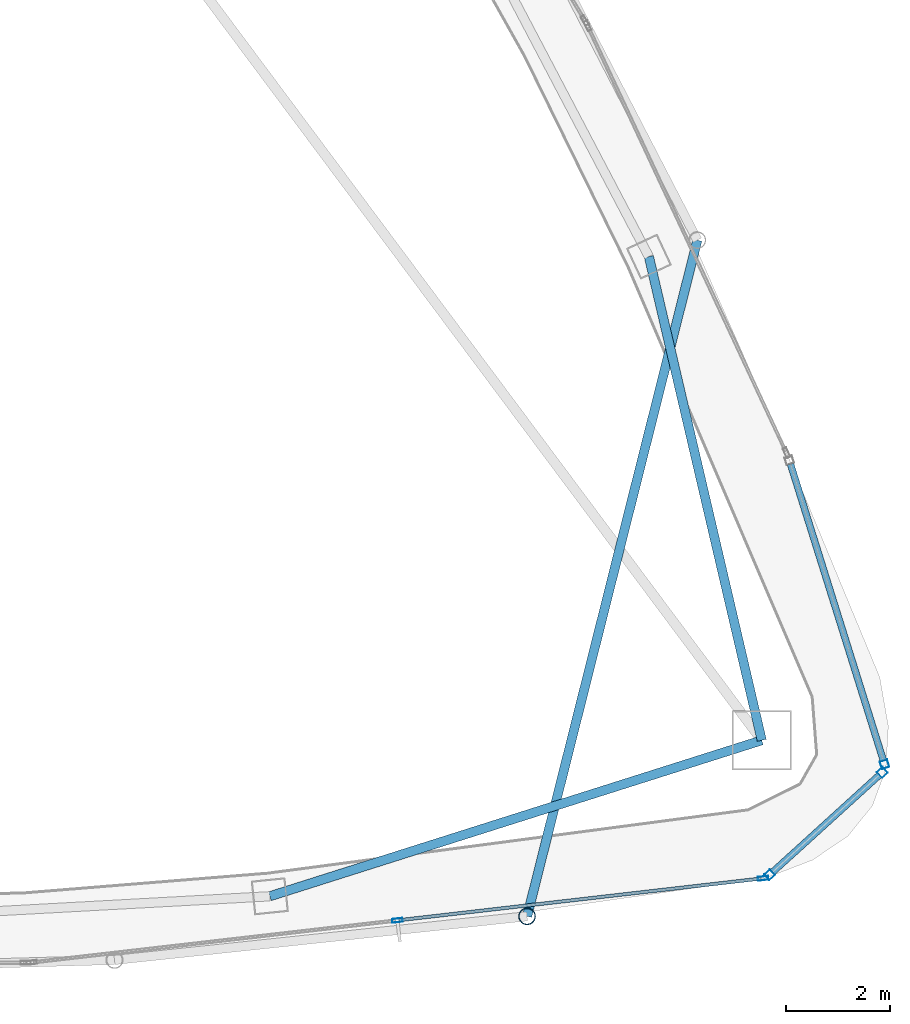
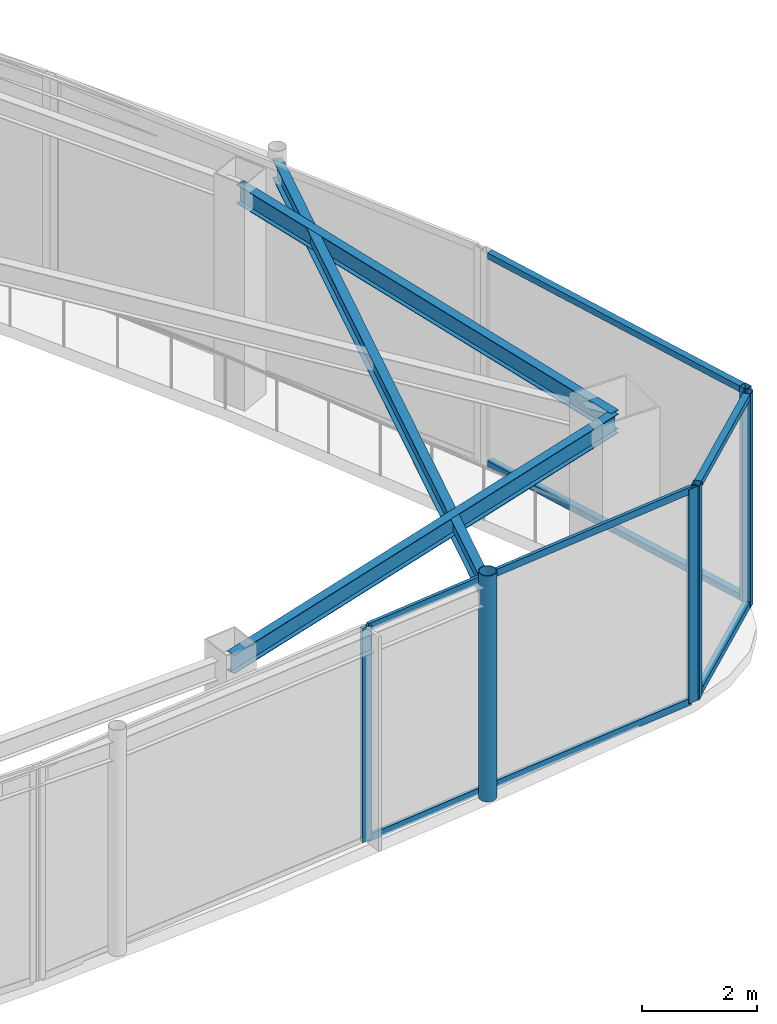
# One storey, part 11 of 19: 12 members, 3 beams, 3 elements without a shape of their own.
"""IFC4 building model written with IfcOpenShell, lengths in metres."""

from ifc_helpers import new_model, si_unit, direction, frame, origin, origin_2d, place, context, subcontext, project, spatial, hollow_rectangle, hollow_circle, i_section, extrude, material, layer, layer_set, material_profile, profile_set, type_object, element, aggregate, save


model = new_model("IFC4")

# Units and contexts
model_context = context("Model", 3, precision=1e-05, world=origin(), true_north=direction((0.0, 1.0)))
body_context = subcontext(model_context, "Body", "Model", "MODEL_VIEW")
ifc_project = project(units=[si_unit("LENGTHUNIT", "METRE"), si_unit("AREAUNIT", "SQUARE_METRE"), si_unit("VOLUMEUNIT", "CUBIC_METRE"), si_unit("PLANEANGLEUNIT", "RADIAN"), si_unit("MASSUNIT", "GRAM", prefix="KILO")], contexts=[model_context])

# Site, building, storey
site_placement = place(None, origin())
site = spatial("IfcSite", under=ifc_project, at=site_placement, CompositionType="ELEMENT")
building_placement = place(site_placement, origin())
building = spatial("IfcBuilding", under=site, at=building_placement, Name="Orvanel Arch Residences", CompositionType="ELEMENT")
storey_placement = place(building_placement, frame((0.0, 0.0, 295.699951171875)))
storey = spatial("IfcBuildingStorey", under=building, at=storey_placement, Name="L83", CompositionType="ELEMENT", Elevation=295.699951171875)

# Curtain wall, members
ifc_material_1 = material(Name="Bronze-anodised aluminium AA6063-T6", Category="aluminium")
ifc_layer = layer(ifc_material_1, 0.2099609375)
ifc_layer_set = layer_set([ifc_layer], Name="Bronze-anodised aluminium AA6063-T6")
curtain_wall_type = type_object("IfcCurtainWallType", Name="CW7-TOP-SYS", PredefinedType="NOTDEFINED", material=ifc_layer_set)
curtain_wall_1_placement = place(storey_placement, origin())
curtain_wall_1 = element("IfcCurtainWall", 1, at=curtain_wall_1_placement, inside=storey, type_object=curtain_wall_type, Name="L83 CW7-TOP-SYS Unitised Curtain Wall", PredefinedType="NOTDEFINED")
ifc_material_profile_1 = material_profile(ifc_material_1, hollow_rectangle(XDim=0.14990234375, YDim=0.14990234375, WallThickness=0.0048828125, at=origin_2d()), Name="ALU150x150x5")
ifc_profile_set_1 = profile_set([ifc_material_profile_1], Name="Bronze-anodised aluminium AA6063-T6")
member_type_1 = type_object("IfcMemberType", Name="MUL-150x150", PredefinedType="MULLION", material=ifc_profile_set_1)
member_1_placement = place(storey_placement, frame((51.95361328125, 7.76953125, 0.0), z_axis=(0.0, 0.0, 1.0), x_axis=(-0.672462257522, 0.740131415499, 0.0)))
member_1 = element("IfcMember", 2, at=member_1_placement, type_object=member_type_1, Name="CW-S7 mullion 1", PredefinedType="MULLION", context=body_context, shape_type="SweptSolid", body=[
    extrude(hollow_rectangle(XDim=0.14990234375, YDim=0.14990234375, WallThickness=0.0048828125, at=origin_2d()), origin(), (0.0, 0.0, 1.0), 4.550048828125),
])
member_2_placement = place(storey_placement, frame((54.117431640625, 9.735595703125, 0.0), z_axis=(0.0, 0.0, 1.0), x_axis=(-0.672462257522, 0.740131415499, 0.0)))
member_2 = element("IfcMember", 3, at=member_2_placement, type_object=member_type_1, Name="CW-S7 mullion 2", PredefinedType="MULLION", context=body_context, shape_type="SweptSolid", body=[
    extrude(hollow_rectangle(XDim=0.14990234375, YDim=0.14990234375, WallThickness=0.0048828125, at=origin_2d()), origin(), (0.0, 0.0, 1.0), 4.550048828125),
])

# Curtain wall, member
curtain_wall_2_placement = place(storey_placement, origin())
curtain_wall_2 = element("IfcCurtainWall", 4, at=curtain_wall_2_placement, inside=storey, type_object=curtain_wall_type, Name="L83 CW7-TOP-SYS Unitised Curtain Wall", PredefinedType="NOTDEFINED")
member_3_placement = place(storey_placement, frame((54.15966796875, 9.8896484375, 0.0), z_axis=(0.0, 0.0, 1.0), x_axis=(-0.954283945864, -0.298901573542, 0.0)))
member_3 = element("IfcMember", 5, at=member_3_placement, type_object=member_type_1, Name="CW-S7 mullion 1", PredefinedType="MULLION", context=body_context, shape_type="SweptSolid", body=[
    extrude(hollow_rectangle(XDim=0.14990234375, YDim=0.14990234375, WallThickness=0.0048828125, at=origin_2d()), origin(), (0.0, 0.0, 1.0), 4.550048828125),
])

# Curtain wall, members
curtain_wall_3_placement = place(storey_placement, origin())
curtain_wall_3 = element("IfcCurtainWall", 6, at=curtain_wall_3_placement, inside=storey, type_object=curtain_wall_type, Name="L83 CW7-TOP-SYS Unitised Curtain Wall", PredefinedType="NOTDEFINED")
ifc_material_profile_2 = material_profile(ifc_material_1, hollow_rectangle(XDim=0.074951171875, YDim=0.199951171875, WallThickness=0.0048828125, at=origin_2d()), Name="ALU200x75x5")
ifc_profile_set_2 = profile_set([ifc_material_profile_2], Name="Bronze-anodised aluminium AA6063-T6")
member_type_2 = type_object("IfcMemberType", Name="MUL-200x75", PredefinedType="MULLION", material=ifc_profile_set_2)
member_4_placement = place(storey_placement, frame((44.802001953125, 6.89208984375, 0.0), z_axis=(0.0, 0.0, 1.0), x_axis=(-0.11424494002, 0.9934526127, 0.0)))
member_4 = element("IfcMember", 7, at=member_4_placement, type_object=member_type_2, Name="CW-S7 mullion 2", PredefinedType="MULLION", context=body_context, shape_type="SweptSolid", body=[
    extrude(hollow_rectangle(XDim=0.074951171875, YDim=0.199951171875, WallThickness=0.0048828125, at=origin_2d()), origin(), (0.0, 0.0, 1.0), 4.550048828125),
])
member_5_placement = place(storey_placement, frame((51.82568359375, 7.69970703125, 0.0), z_axis=(0.0, 0.0, 1.0), x_axis=(-0.11424494002, 0.9934526127, 0.0)))
member_5 = element("IfcMember", 8, at=member_5_placement, type_object=member_type_2, Name="CW-S7 mullion 3", PredefinedType="MULLION", context=body_context, shape_type="SweptSolid", body=[
    extrude(hollow_rectangle(XDim=0.074951171875, YDim=0.199951171875, WallThickness=0.0048828125, at=origin_2d()), origin(), (0.0, 0.0, 1.0), 4.550048828125),
])

# Beams
ifc_material_2 = material(Name="Structural steel AS/NZS 3679.1 Grade 300 (300 MPa)", Category="steel")
ifc_material_profile_3 = material_profile(ifc_material_2, i_section(OverallWidth=0.177978515625, OverallDepth=0.406005859375, WebThickness=0.0078125, FlangeThickness=0.0126953125, at=origin_2d()), Name="410UB59.7")
ifc_profile_set_3 = profile_set([ifc_material_profile_3], Name="Structural steel AS/NZS 3679.1 Grade 300 (300 MPa)")
beam_type_1 = type_object("IfcBeamType", Name="OB-410UB", PredefinedType="SPANDREL", material=ifc_profile_set_3)
beam_1_placement = place(storey_placement, frame((42.35107421875, 7.35498046875, 4.34716796875), z_axis=(0.953237386592, 0.302222574941, 0.0), x_axis=(-0.302222574941, 0.953237386592, 0.0)))
element("IfcBeam", 9, at=beam_1_placement, inside=storey, type_object=beam_type_1, Name="L83 Perimeter Spandrel Beam 05", PredefinedType="SPANDREL", context=body_context, shape_type="SweptSolid", body=[
    extrude(i_section(OverallWidth=0.177978515625, OverallDepth=0.406005859375, WebThickness=0.0078125, FlangeThickness=0.0126953125, at=origin_2d()), origin(), (0.0, 0.0, 1.0), 9.91357421875),
])
beam_2_placement = place(storey_placement, frame((51.801025390625, 10.35107421875, 4.34716796875), z_axis=(-0.227236087167, 0.973839699688, 0.0), x_axis=(-0.973839699688, -0.227236087167, 0.0)))
element("IfcBeam", 10, at=beam_2_placement, inside=storey, type_object=beam_type_1, Name="L83 Perimeter Spandrel Beam 06", PredefinedType="SPANDREL", context=body_context, shape_type="SweptSolid", body=[
    extrude(i_section(OverallWidth=0.177978515625, OverallDepth=0.406005859375, WebThickness=0.0078125, FlangeThickness=0.0126953125, at=origin_2d()), origin(), (0.0, 0.0, 1.0), 9.54052734375),
])
ifc_material_profile_4 = material_profile(ifc_material_2, i_section(OverallWidth=0.177978515625, OverallDepth=0.406005859375, WebThickness=0.0078125, FlangeThickness=0.0126953125, at=origin_2d()), Name="410UB59.7")
ifc_profile_set_4 = profile_set([ifc_material_profile_4], Name="Structural steel AS/NZS 3679.1 Grade 300 (300 MPa)")
beam_type_2 = type_object("IfcBeamType", Name="OB-410UB-EXT", PredefinedType="SPANDREL", material=ifc_profile_set_4)
beam_3_placement = place(storey_placement, frame((47.29296875, 6.969970703125, 4.34716796875), z_axis=(0.244220827224, 0.969719643789, 0.0), x_axis=(-0.969719643789, 0.244220827224, 0.0)))
element("IfcBeam", 11, at=beam_3_placement, inside=storey, type_object=beam_type_2, Name="L83 Outer Perimeter Floor Ring Beam 08", PredefinedType="SPANDREL", context=body_context, shape_type="SweptSolid", body=[
    extrude(i_section(OverallWidth=0.177978515625, OverallDepth=0.406005859375, WebThickness=0.0078125, FlangeThickness=0.0126953125, at=origin_2d()), origin(), (0.0, 0.0, 1.0), 13.3935546875),
])

# Member
ifc_material_3 = material(Name="Structural steel AS/NZS 1163 C350L0 (Grade 350)", Category="steel")
ifc_material_profile_5 = material_profile(ifc_material_3, hollow_circle(Radius=0.162109375, WallThickness=0.0126953125, at=origin_2d()), Name="CHS324x12.7")
ifc_profile_set_5 = profile_set([ifc_material_profile_5], Name="Structural steel AS/NZS 1163 C350L0 (Grade 350)")
member_type_3 = type_object("IfcMemberType", Name="ST-324CHS-EXT", PredefinedType="STRUT", material=ifc_profile_set_5)
member_6_placement = place(storey_placement, frame((47.29296875, 6.969970703125, 0.0), z_axis=(0.0, 0.0, 1.0), x_axis=(1.0, 0.0, 0.0)))
element("IfcMember", 12, at=member_6_placement, inside=storey, type_object=member_type_3, Name="L83 Outer Perimeter Frame Post 08", PredefinedType="STRUT", context=body_context, shape_type="SweptSolid", body=[
    extrude(hollow_circle(Radius=0.162109375, WallThickness=0.0126953125, at=origin_2d()), origin(), (0.0, 0.0, 1.0), 4.800048828125),
])

ifc_material_profile_6 = material_profile(ifc_material_1, hollow_rectangle(XDim=0.1298828125, YDim=0.1298828125, WallThickness=0.00439453125, at=origin_2d()), Name="ALU130x130x4.5")
ifc_profile_set_6 = profile_set([ifc_material_profile_6], Name="Bronze-anodised aluminium AA6063-T6")
member_type_4 = type_object("IfcMemberType", Name="TRN-130x130", PredefinedType="USERDEFINED", material=ifc_profile_set_6)
member_7_placement = place(storey_placement, frame((52.009033203125, 7.81982421875, 0.06494140625), z_axis=(0.740139175593, 0.672453716439, 0.0), x_axis=(-0.672453716439, 0.740139175593, 0.0)))
member_7 = element("IfcMember", 13, at=member_7_placement, type_object=member_type_4, Name="CW-S7 transom 1.1", ObjectType="TRANSOM", PredefinedType="USERDEFINED", context=body_context, shape_type="SweptSolid", body=[
    extrude(hollow_rectangle(XDim=0.1298828125, YDim=0.1298828125, WallThickness=0.00439453125, at=origin_2d()), origin(), (0.0, 0.0, 1.0), 2.773681640625),
])

member_8_placement = place(storey_placement, frame((52.009033203125, 7.81982421875, 4.485107421875), z_axis=(0.740139175593, 0.672453716439, 0.0), x_axis=(-0.672453716439, 0.740139175593, 0.0)))
member_8 = element("IfcMember", 14, at=member_8_placement, type_object=member_type_4, Name="CW-S7 transom 1.2", ObjectType="TRANSOM", PredefinedType="USERDEFINED", context=body_context, shape_type="SweptSolid", body=[
    extrude(hollow_rectangle(XDim=0.1298828125, YDim=0.1298828125, WallThickness=0.00439453125, at=origin_2d()), origin(), (0.0, 0.0, 1.0), 2.773681640625),
])

aggregate(curtain_wall_1, [member_1, member_2, member_7, member_8])

member_9_placement = place(storey_placement, frame((54.13720703125, 9.961181640625, 0.06494140625), z_axis=(-0.298912971075, 0.954280375845, 0.0), x_axis=(-0.954280375845, -0.298912971075, 0.0)))
member_9 = element("IfcMember", 15, at=member_9_placement, type_object=member_type_4, Name="CW-S7 transom 1.1", ObjectType="TRANSOM", PredefinedType="USERDEFINED", context=body_context, shape_type="SweptSolid", body=[
    extrude(hollow_rectangle(XDim=0.1298828125, YDim=0.1298828125, WallThickness=0.00439453125, at=origin_2d()), origin(), (0.0, 0.0, 1.0), 5.9697265625),
])

member_10_placement = place(storey_placement, frame((54.13720703125, 9.961181640625, 4.485107421875), z_axis=(-0.298912971075, 0.954280375845, 0.0), x_axis=(-0.954280375845, -0.298912971075, 0.0)))
member_10 = element("IfcMember", 16, at=member_10_placement, type_object=member_type_4, Name="CW-S7 transom 1.2", ObjectType="TRANSOM", PredefinedType="USERDEFINED", context=body_context, shape_type="SweptSolid", body=[
    extrude(hollow_rectangle(XDim=0.1298828125, YDim=0.1298828125, WallThickness=0.00439453125, at=origin_2d()), origin(), (0.0, 0.0, 1.0), 5.9697265625),
])

aggregate(curtain_wall_2, [member_3, member_9, member_10])

ifc_material_profile_7 = material_profile(ifc_material_1, hollow_rectangle(XDim=0.06494140625, YDim=0.14990234375, WallThickness=0.00390625, at=origin_2d()), Name="ALU150x65x4")
ifc_profile_set_7 = profile_set([ifc_material_profile_7], Name="Bronze-anodised aluminium AA6063-T6")
member_type_5 = type_object("IfcMemberType", Name="TRN-150x65", PredefinedType="USERDEFINED", material=ifc_profile_set_7)
member_11_placement = place(storey_placement, frame((44.83935546875, 6.896240234375, 0.032470703125), z_axis=(0.993453799179, 0.114234622144, 0.0), x_axis=(-0.114234622144, 0.993453799179, 0.0)))
member_11 = element("IfcMember", 17, at=member_11_placement, type_object=member_type_5, Name="CW-S7 transom 2.1", ObjectType="TRANSOM", PredefinedType="USERDEFINED", context=body_context, shape_type="SweptSolid", body=[
    extrude(hollow_rectangle(XDim=0.06494140625, YDim=0.14990234375, WallThickness=0.00390625, at=origin_2d()), origin(), (0.0, 0.0, 1.0), 6.9951171875),
])

member_12_placement = place(storey_placement, frame((44.83935546875, 6.896240234375, 4.517578125), z_axis=(0.993453799179, 0.114234622144, 0.0), x_axis=(-0.114234622144, 0.993453799179, 0.0)))
member_12 = element("IfcMember", 18, at=member_12_placement, type_object=member_type_5, Name="CW-S7 transom 2.2", ObjectType="TRANSOM", PredefinedType="USERDEFINED", context=body_context, shape_type="SweptSolid", body=[
    extrude(hollow_rectangle(XDim=0.06494140625, YDim=0.14990234375, WallThickness=0.00390625, at=origin_2d()), origin(), (0.0, 0.0, 1.0), 6.9951171875),
])

aggregate(curtain_wall_3, [member_4, member_5, member_11, member_12])

save(model, "model.ifc")
